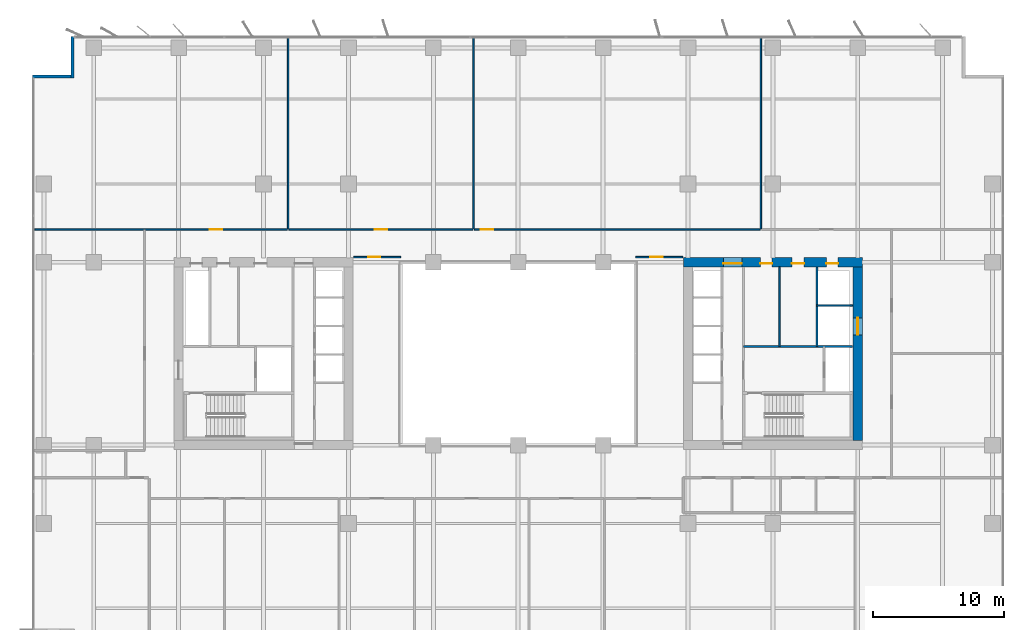
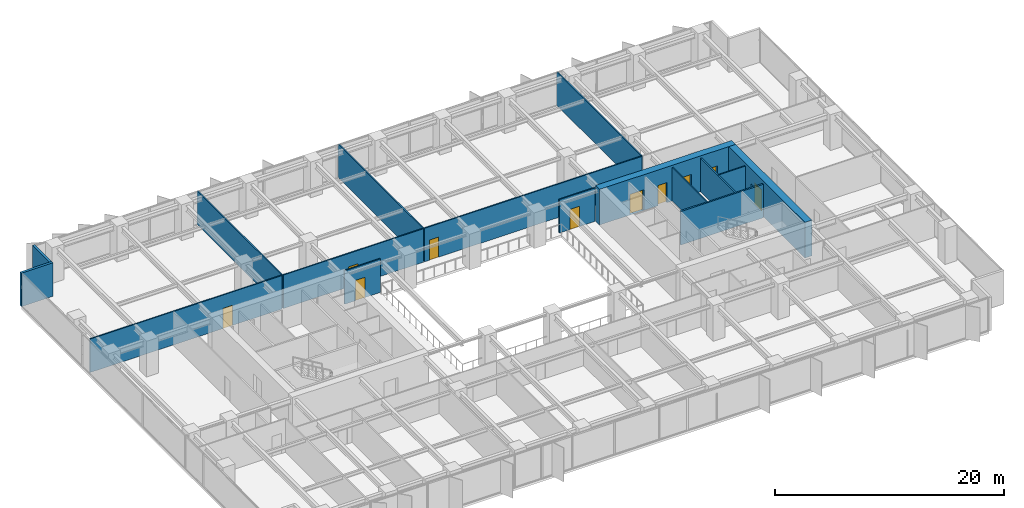
# One storey, part 15 of 20: 16 walls, 10 doors, 10 openings.
"""IFC4 building model written with IfcOpenShell, lengths in metres."""

import ifcopenshell
import ifcopenshell.guid

model = None  # the IFC model being written
_history = None  # IfcOwnerHistory: only IFC2X3 demands one
_inside = {}  # id of a spatial element -> (the spatial element, [elements in it])
_under = {}  # id of a project, library or spatial element -> (it, [spatial elements below it])
_declared = {}  # id of a project -> (the project, [libraries it declares])
_typed = {}  # id of a type object -> (the type object, [elements of that type])
_made_of = {}  # id of a material, layer set ... -> (it, [elements and type objects made of it])


def new_model(schema):
    """Start an empty IFC model of exactly this schema.

    Asked for "IFC4X3", IfcOpenShell would pick the latest addendum, in which some entities
    have other attributes; the version numbers below select the first issue.
    IFC2X3 requires an IfcOwnerHistory on every rooted entity: one is made here for all.
    """
    global model, _history
    if schema == "IFC4X3":
        model = ifcopenshell.file(schema_version=(4, 3, 0, 0))
    else:
        model = ifcopenshell.file(schema=schema)
    _inside.clear()
    _under.clear()
    _declared.clear()
    _typed.clear()
    _made_of.clear()
    _history = None
    if model.schema == "IFC2X3":
        org = make("IfcOrganization", Name="unknown")
        user = make(
            "IfcPersonAndOrganization",
            ThePerson=make("IfcPerson", FamilyName="unknown"),
            TheOrganization=org,
        )
        app = make(
            "IfcApplication",
            ApplicationDeveloper=org,
            Version="unknown",
            ApplicationFullName="unknown",
            ApplicationIdentifier="unknown",
        )
        _history = make(
            "IfcOwnerHistory",
            OwningUser=user,
            OwningApplication=app,
            ChangeAction="ADDED",
            CreationDate=0,
        )
    return model


def make(cls, **values):
    """One entity of the class cls with the attributes given. An attribute that is None is left unset."""
    return model.create_entity(
        cls, **{name: value for name, value in values.items() if value is not None}
    )


def rooted(cls, **values):
    """An entity with a GlobalId (a new one), such as an element, a storey or a relation."""
    return make(cls, GlobalId=ifcopenshell.guid.new(), OwnerHistory=_history, **values)


def si_unit(unit_type, name, prefix=None):
    """IfcSIUnit, for example si_unit("LENGTHUNIT", "METRE", prefix="MILLI")."""
    return make("IfcSIUnit", UnitType=unit_type, Prefix=prefix, Name=name)


def assignment(units):
    """IfcUnitAssignment: the units of a project."""
    return None if units is None else make("IfcUnitAssignment", Units=units)


def point(xyz):
    """IfcCartesianPoint."""
    return None if xyz is None else make("IfcCartesianPoint", Coordinates=xyz)


def direction(xyz):
    """IfcDirection."""
    return None if xyz is None else make("IfcDirection", DirectionRatios=xyz)


def frame(location, z_axis=None, x_axis=None):
    """IfcAxis2Placement3D, a coordinate frame: its origin and axes. An axis left out is left unset."""
    return make(
        "IfcAxis2Placement3D",
        Location=point(location),
        Axis=direction(z_axis),
        RefDirection=direction(x_axis),
    )


def frame_2d(location, x_axis=None):
    """IfcAxis2Placement2D, a coordinate frame in the plane: its origin and x axis."""
    return make(
        "IfcAxis2Placement2D", Location=point(location), RefDirection=direction(x_axis)
    )


def origin():
    """The frame at (0, 0, 0) with its axes left unset."""
    return frame((0.0, 0.0, 0.0))


def place(relative_to, where):
    """IfcLocalPlacement: puts the frame where relative to a parent placement (None: the world)."""
    return make(
        "IfcLocalPlacement", PlacementRelTo=relative_to, RelativePlacement=where
    )


def context(
    kind, dimensions, precision=None, world=None, true_north=None, identifier=None
):
    """IfcGeometricRepresentationContext, for example the 3D "Model" context."""
    return make(
        "IfcGeometricRepresentationContext",
        ContextIdentifier=identifier,
        ContextType=kind,
        CoordinateSpaceDimension=dimensions,
        Precision=precision,
        WorldCoordinateSystem=world,
        TrueNorth=true_north,
    )


def subcontext(parent, identifier, kind, view, scale=None):
    """IfcGeometricRepresentationSubContext, for example "Body" below "Model"."""
    return make(
        "IfcGeometricRepresentationSubContext",
        ContextIdentifier=identifier,
        ContextType=kind,
        ParentContext=parent,
        TargetScale=scale,
        TargetView=view,
    )


def project(units=None, contexts=None):
    """IfcProject with its units and contexts."""
    return rooted(
        "IfcProject",
        Name="project",
        RepresentationContexts=contexts,
        UnitsInContext=assignment(units),
    )


def spatial(cls, under=None, at=None, **own):
    """A site, building, storey or space (cls), placed at a placement, below another one or the project."""
    s = rooted(cls, ObjectPlacement=at, **own)
    if under is not None:
        _under.setdefault(under.id(), (under, []))[1].append(s)
    return s


def profile(cls, at=None, kind="AREA", **sizes):
    """A parametric profile (cls). Its sizes go by their IFC names, for example OverallWidth=200.0."""
    return make(cls, ProfileType=kind, Position=at, **sizes)


def rectangle(**sizes):
    """IfcRectangleProfileDef."""
    return profile("IfcRectangleProfileDef", **sizes)


def extrude(swept, where, along, depth):
    """IfcExtrudedAreaSolid: the profile swept, set in the frame where, extruded along a direction by depth."""
    return make(
        "IfcExtrudedAreaSolid",
        SweptArea=swept,
        Position=where,
        ExtrudedDirection=direction(along),
        Depth=depth,
    )


def shape(context_of_items, identifier, shape_type, items):
    """IfcShapeRepresentation: the items that make up one representation, for example the "Body"."""
    return make(
        "IfcShapeRepresentation",
        ContextOfItems=context_of_items,
        RepresentationIdentifier=identifier,
        RepresentationType=shape_type,
        Items=items,
    )


def material(Name=None, Category=None):
    """IfcMaterial."""
    return make("IfcMaterial", Name=Name, Category=Category)


def layer(
    of_material, thickness, ventilated=None, Name=None, Category=None, Priority=None
):
    """IfcMaterialLayer: one layer of a wall or slab, of a material (None: an air gap)."""
    return make(
        "IfcMaterialLayer",
        Material=of_material,
        LayerThickness=thickness,
        IsVentilated=ventilated,
        Name=Name,
        Category=Category,
        Priority=Priority,
    )


def layer_set(layers, Name=None):
    """IfcMaterialLayerSet."""
    return make("IfcMaterialLayerSet", MaterialLayers=layers, LayerSetName=Name)


def made_of(thing, what):
    """Note that an element or type object is made of a material, layer set ...; save() writes the relation."""
    if what is not None:
        _made_of.setdefault(what.id(), (what, []))[1].append(thing)
    return thing


def type_object(cls, material=None, **own):
    """A type object (cls), such as IfcWallType, which elements share."""
    return made_of(rooted(cls, **own), material)


def element(
    cls,
    number,
    at=None,
    inside=None,
    cuts=None,
    type_object=None,
    material=None,
    context=None,
    identifier="Body",
    shape_type=None,
    held_by="IfcProductDefinitionShape",
    body=None,
    shapes=None,
    **own,
):
    """One element of the class cls, such as IfcWall. Its Tag is "e" and its number.

    at: its placement. inside: the storey or other place that contains it. cuts: it is an
    opening in that element (IfcRelVoidsElement). A single representation is given by context,
    identifier, shape_type and body (its items); several are given by shapes. held_by: the class
    of the entity that holds the representations. save() writes the other relations.
    """
    e = rooted(cls, Tag="e%d" % number, ObjectPlacement=at, **own)
    if body is not None:
        shapes = [shape(context, identifier, shape_type, body)]
    if shapes is not None:
        e.Representation = make(held_by, Representations=shapes)
    if inside is not None:
        _inside.setdefault(inside.id(), (inside, []))[1].append(e)
    if cuts is not None:
        rooted(
            "IfcRelVoidsElement", RelatingBuildingElement=cuts, RelatedOpeningElement=e
        )
    if type_object is not None:
        _typed.setdefault(type_object.id(), (type_object, []))[1].append(e)
    return made_of(e, material)


def fill(opening, filler):
    """IfcRelFillsElement: the door or window that sits in an opening."""
    return rooted(
        "IfcRelFillsElement",
        RelatingOpeningElement=opening,
        RelatedBuildingElement=filler,
    )


def aggregate(whole, parts):
    """IfcRelAggregates: a whole, such as a stair, and the parts it consists of."""
    return rooted("IfcRelAggregates", RelatingObject=whole, RelatedObjects=parts)


def save(model, path):
    """Write the relations noted so far, then the file.

    IfcRelAggregates (storeys below a building ...), IfcRelContainedInSpatialStructure (elements
    in a storey), IfcRelDefinesByType, IfcRelAssociatesMaterial and IfcRelDeclares: one each for
    every whole, place, type object, material and project.
    """
    for whole, parts in _under.values():
        aggregate(whole, parts)
    for where, things in _inside.values():
        rooted(
            "IfcRelContainedInSpatialStructure",
            RelatedElements=things,
            RelatingStructure=where,
        )
    for kind, things in _typed.values():
        rooted("IfcRelDefinesByType", RelatedObjects=things, RelatingType=kind)
    for what, things in _made_of.values():
        rooted("IfcRelAssociatesMaterial", RelatedObjects=things, RelatingMaterial=what)
    for by, libraries in _declared.values():
        rooted("IfcRelDeclares", RelatingContext=by, RelatedDefinitions=libraries)
    model.write(path)


model = new_model("IFC4")

# Units and contexts
model_context = context("Model", 3, precision=1e-05, world=origin(), true_north=direction((0.0, 1.0)))
body_context = subcontext(model_context, "Body", "Model", "MODEL_VIEW")
ifc_project = project(units=[si_unit("LENGTHUNIT", "METRE"), si_unit("AREAUNIT", "SQUARE_METRE"), si_unit("VOLUMEUNIT", "CUBIC_METRE"), si_unit("PLANEANGLEUNIT", "RADIAN"), si_unit("MASSUNIT", "GRAM", prefix="KILO")], contexts=[model_context])

# Site, building, storey
site_placement = place(None, origin())
site = spatial("IfcSite", under=ifc_project, at=site_placement, CompositionType="ELEMENT")
building_placement = place(site_placement, origin())
building = spatial("IfcBuilding", under=site, at=building_placement, Name="Putna Gate Headquarters", CompositionType="ELEMENT")
storey_placement = place(building_placement, frame((0.0, 0.0, 93.60009765625)))
storey = spatial("IfcBuildingStorey", under=building, at=storey_placement, Name="L22", CompositionType="ELEMENT", Elevation=93.60009765625)

# Wall, openings, doors
ifc_material_1 = material(Name="Concrete C60/75", Category="concrete")
ifc_layer_1 = layer(ifc_material_1, 0.699951171875)
ifc_layer_set_1 = layer_set([ifc_layer_1], Name="Concrete C60/75")
wall_type_1 = type_object("IfcWallType", Name="WALL-CORE-700", PredefinedType="SHEAR", material=ifc_layer_set_1)
wall_1_placement = place(storey_placement, frame((51.64990234375, 33.0, 0.0), z_axis=(0.0, 0.0, 1.0), x_axis=(1.0, 0.0, 0.0)))
wall_1 = element("IfcWall", 1, at=wall_1_placement, inside=storey, type_object=wall_type_1, Name="L22 EC Split Core Shear Wall N", PredefinedType="SHEAR", context=body_context, shape_type="SweptSolid", body=[
    extrude(rectangle(XDim=13.7001953125, YDim=0.699951171875, at=frame_2d((6.85009765625, 0.0))), origin(), (0.0, 0.0, 1.0), 3.7998046875),
])
opening_1_placement = place(wall_1_placement, frame((3.070068359375, 0.0, 0.0)))
opening_1 = element("IfcOpeningElement", 2, at=opening_1_placement, cuts=wall_1, Name="Opening FDD-140", PredefinedType="OPENING", context=body_context, shape_type="SweptSolid", body=[
    extrude(rectangle(XDim=1.39990234375, YDim=2.199951171875, at=frame_2d((0.699951171875, 1.10009765625))), frame((0.0, 0.35986328125, 0.0), z_axis=(0.0, -1.0, 0.0), x_axis=(1.0, 0.0, 0.0)), (0.0, 0.0, 1.0), 0.719970703125),
])
opening_2_placement = place(wall_1_placement, frame((10.949951171875, 0.0, 0.0)))
opening_2 = element("IfcOpeningElement", 3, at=opening_2_placement, cuts=wall_1, Name="Opening RD-90", PredefinedType="OPENING", context=body_context, shape_type="SweptSolid", body=[
    extrude(rectangle(XDim=0.89990234375, YDim=2.14990234375, at=frame_2d((0.449951171875, 1.074951171875))), frame((0.0, 0.35986328125, 0.0), z_axis=(0.0, -1.0, 0.0), x_axis=(1.0, 0.0, 0.0)), (0.0, 0.0, 1.0), 0.719970703125),
])
opening_3_placement = place(wall_1_placement, frame((5.89990234375, 0.0, 0.0)))
opening_3 = element("IfcOpeningElement", 4, at=opening_3_placement, cuts=wall_1, Name="Opening IDS-90", PredefinedType="OPENING", context=body_context, shape_type="SweptSolid", body=[
    extrude(rectangle(XDim=0.89990234375, YDim=2.14990234375, at=frame_2d((0.449951171875, 1.074951171875))), frame((0.0, 0.35986328125, 0.0), z_axis=(0.0, -1.0, 0.0), x_axis=(1.0, 0.0, 0.0)), (0.0, 0.0, 1.0), 0.719970703125),
])
opening_4_placement = place(wall_1_placement, frame((8.300048828125, 0.0, 0.0)))
opening_4 = element("IfcOpeningElement", 5, at=opening_4_placement, cuts=wall_1, Name="Opening IDS-95", PredefinedType="OPENING", context=body_context, shape_type="SweptSolid", body=[
    extrude(rectangle(XDim=0.949951171875, YDim=2.14990234375, at=frame_2d((0.47509765625, 1.074951171875))), frame((0.0, 0.35986328125, 0.0), z_axis=(0.0, -1.0, 0.0), x_axis=(1.0, 0.0, 0.0)), (0.0, 0.0, 1.0), 0.719970703125),
])
ifc_material_2 = material(Name="Double steel fire door", Category="steel")
door_type_1 = type_object("IfcDoorType", Name="DOOR-FIRE-DBL-1400", OperationType="DOUBLE_DOOR_SINGLE_SWING", PredefinedType="DOOR", material=ifc_material_2)
door_1_placement = place(opening_1_placement, origin())
door_1 = element("IfcDoor", 6, at=door_1_placement, inside=storey, type_object=door_type_1, Name="L22 East Lift Lobby North Door", OperationType="DOUBLE_DOOR_SINGLE_SWING", OverallHeight=2.199951171875, OverallWidth=1.39990234375, PredefinedType="DOOR", context=body_context, shape_type="SweptSolid", body=[
    extrude(rectangle(XDim=1.39990234375, YDim=2.199951171875, at=frame_2d((0.699951171875, 1.10009765625))), frame((0.0, -0.0751953125, 0.0), z_axis=(0.0, -1.0, 0.0), x_axis=(1.0, 0.0, 0.0)), (0.0, 0.0, 1.0), 0.050048828125),
])
fill(opening_1, door_1)
ifc_material_3 = material(Name="Fire-rated utility door")
door_type_2 = type_object("IfcDoorType", Name="DOOR-INT-900", OperationType="NOTDEFINED", PredefinedType="DOOR", material=ifc_material_3)
door_2_placement = place(opening_3_placement, origin())
door_2 = element("IfcDoor", 7, at=door_2_placement, inside=storey, type_object=door_type_2, Name="L22 Telecoms Plant Door", OperationType="SINGLE_SWING_LEFT", OverallHeight=2.14990234375, OverallWidth=0.89990234375, PredefinedType="DOOR", context=body_context, shape_type="SweptSolid", body=[
    extrude(rectangle(XDim=0.89990234375, YDim=2.14990234375, at=frame_2d((0.449951171875, 1.074951171875))), frame((0.0, -0.0751953125, 0.0), z_axis=(0.0, -1.0, 0.0), x_axis=(1.0, 0.0, 0.0)), (0.0, 0.0, 1.0), 0.050048828125),
])
fill(opening_3, door_2)
ifc_material_4 = material(Name="Fire-rated service timber door", Category="wood")
door_type_3 = type_object("IfcDoorType", Name="DOOR-INT-950", OperationType="NOTDEFINED", PredefinedType="DOOR", material=ifc_material_4)
door_3_placement = place(opening_4_placement, origin())
door_3 = element("IfcDoor", 8, at=door_3_placement, inside=storey, type_object=door_type_3, Name="L22 Supplies Store Door", OperationType="SINGLE_SWING_RIGHT", OverallHeight=2.14990234375, OverallWidth=0.949951171875, PredefinedType="DOOR", context=body_context, shape_type="SweptSolid", body=[
    extrude(rectangle(XDim=0.949951171875, YDim=2.14990234375, at=frame_2d((0.47509765625, 1.074951171875))), frame((0.0, -0.0751953125, 0.0), z_axis=(0.0, -1.0, 0.0), x_axis=(1.0, 0.0, 0.0)), (0.0, 0.0, 1.0), 0.050048828125),
])
fill(opening_4, door_3)
ifc_material_5 = material(Name="Steel riser access fire door", Category="steel")
door_type_4 = type_object("IfcDoorType", Name="DOOR-RISER-900", OperationType="NOTDEFINED", PredefinedType="DOOR", material=ifc_material_5)
door_4_placement = place(opening_2_placement, origin())
door_4 = element("IfcDoor", 9, at=door_4_placement, inside=storey, type_object=door_type_4, Name="L22 East Riser Access Door", OperationType="SINGLE_SWING_LEFT", OverallHeight=2.14990234375, OverallWidth=0.89990234375, PredefinedType="DOOR", context=body_context, shape_type="SweptSolid", body=[
    extrude(rectangle(XDim=0.89990234375, YDim=2.14990234375, at=frame_2d((0.449951171875, 1.074951171875))), frame((0.0, -0.0751953125, 0.0), z_axis=(0.0, -1.0, 0.0), x_axis=(1.0, 0.0, 0.0)), (0.0, 0.0, 1.0), 0.050048828125),
])
fill(opening_2, door_4)

# Wall, opening, door
wall_2_placement = place(storey_placement, frame((65.0, 19.35009765625, 0.0), z_axis=(0.0, 0.0, 1.0), x_axis=(0.0, 1.0, 0.0)))
wall_2 = element("IfcWall", 10, at=wall_2_placement, inside=storey, type_object=wall_type_1, Name="L22 EC Split Core Shear Wall E", PredefinedType="SHEAR", context=body_context, shape_type="SweptSolid", body=[
    extrude(rectangle(XDim=13.2998046875, YDim=0.699951171875, at=frame_2d((6.64990234375, 0.0))), origin(), (0.0, 0.0, 1.0), 3.7998046875),
])
opening_5_placement = place(wall_2_placement, frame((8.10009765625, 0.0, 0.0)))
opening_5 = element("IfcOpeningElement", 11, at=opening_5_placement, cuts=wall_2, Name="Opening LD-2", PredefinedType="OPENING", context=body_context, shape_type="SweptSolid", body=[
    extrude(rectangle(XDim=1.300048828125, YDim=2.199951171875, at=frame_2d((0.64990234375, 1.10009765625))), frame((0.0, 0.35986328125, 0.0), z_axis=(0.0, -1.0, 0.0), x_axis=(1.0, 0.0, 0.0)), (0.0, 0.0, 1.0), 0.719970703125),
])
ifc_material_6 = material(Name="Heavy-duty goods lift sliding landing door")
door_type_5 = type_object("IfcDoorType", Name="DOOR-LIFT-1300", OperationType="DOUBLE_DOOR_SLIDING", PredefinedType="DOOR", material=ifc_material_6)
door_5_placement = place(opening_5_placement, origin())
door_5 = element("IfcDoor", 12, at=door_5_placement, inside=storey, type_object=door_type_5, Name="L22 Goods Lift Landing Door LD-15", OperationType="DOUBLE_DOOR_SLIDING", OverallHeight=2.199951171875, OverallWidth=1.300048828125, PredefinedType="DOOR", context=body_context, shape_type="SweptSolid", body=[
    extrude(rectangle(XDim=1.300048828125, YDim=2.199951171875, at=frame_2d((0.64990234375, 1.10009765625))), frame((0.0, 0.02490234375, 0.0), z_axis=(0.0, -1.0, 0.0), x_axis=(1.0, 0.0, 0.0)), (0.0, 0.0, 1.0), 0.050048828125),
])
fill(opening_5, door_5)

# Walls
ifc_material_7 = material(Name="Precast concrete C40/50", Category="concrete")
ifc_layer_2 = layer(ifc_material_7, 0.239990234375)
ifc_layer_set_2 = layer_set([ifc_layer_2], Name="Precast concrete C40/50")
wall_type_2 = type_object("IfcWallType", Name="WALL-EXT-TERR-240", PredefinedType="STANDARD", material=ifc_layer_set_2)
for number, where, z_axis, x_axis, name in (
    (13, (4.8798828125, 47.10009765625, 0.0), (0.0, 0.0, 1.0), (0.0, 1.0, 0.0), "L22 Corner Notch Return Wall NW-V"),
    (14, (1.800048828125, 47.219970703125, 0.0), (0.0, 0.0, 1.0), (1.0, 0.0, 0.0), "L22 Corner Notch Return Wall NW-H"),
):
    element("IfcWall", number, at=place(storey_placement, frame(where, z_axis=z_axis, x_axis=x_axis)), inside=storey, type_object=wall_type_2, Name=name, PredefinedType="STANDARD", context=body_context, shape_type="SweptSolid", body=[
        extrude(rectangle(XDim=3.199951171875, YDim=0.239990234375, at=frame_2d((1.60009765625, 0.0))), origin(), (0.0, 0.0, 1.0), 3.56494140625),
    ])

# Wall, opening, door
ifc_material_8 = material(Name="Acoustic gypsum board on metal stud")
ifc_layer_3 = layer(ifc_material_8, 0.1201171875)
ifc_layer_set_3 = layer_set([ifc_layer_3], Name="Acoustic gypsum board on metal stud")
wall_type_3 = type_object("IfcWallType", Name="WALL-PART-120", PredefinedType="PARTITIONING", material=ifc_layer_set_3)
wall_3_placement = place(storey_placement, frame((26.39990234375, 33.39990234375, 0.0), z_axis=(0.0, 0.0, 1.0), x_axis=(1.0, 0.0, 0.0)))
wall_3 = element("IfcWall", 15, at=wall_3_placement, inside=storey, type_object=wall_type_3, Name="L22 Interior Wall PART-L22-ATR-W-N", PredefinedType="PARTITIONING", context=body_context, shape_type="SweptSolid", body=[
    extrude(rectangle(XDim=3.60009765625, YDim=0.1201171875, at=frame_2d((1.800048828125, 0.0))), origin(), (0.0, 0.0, 1.0), 3.56494140625),
])
opening_6_placement = place(wall_3_placement, frame((1.10009765625, 0.0, 0.0)))
opening_6 = element("IfcOpeningElement", 16, at=opening_6_placement, cuts=wall_3, Name="Opening ID-95", PredefinedType="OPENING", context=body_context, shape_type="SweptSolid", body=[
    extrude(rectangle(XDim=0.949951171875, YDim=2.14990234375, at=frame_2d((0.47509765625, 1.074951171875))), frame((0.0, 0.070068359375, 0.0), z_axis=(0.0, -1.0, 0.0), x_axis=(1.0, 0.0, 0.0)), (0.0, 0.0, 1.0), 0.14013671875),
])
ifc_material_9 = material(Name="Veneered acoustic timber door", Category="wood")
door_type_6 = type_object("IfcDoorType", Name="DOOR-OFF-950", OperationType="NOTDEFINED", PredefinedType="DOOR", material=ifc_material_9)
door_6_placement = place(opening_6_placement, origin())
door_6 = element("IfcDoor", 17, at=door_6_placement, inside=storey, type_object=door_type_6, Name="L22 West Atrium Lounge Door", OperationType="SINGLE_SWING_LEFT", OverallHeight=2.14990234375, OverallWidth=0.949951171875, PredefinedType="DOOR", context=body_context, shape_type="SweptSolid", body=[
    extrude(rectangle(XDim=0.949951171875, YDim=2.14990234375, at=frame_2d((0.47509765625, 1.074951171875))), frame((0.0, 0.02490234375, 0.0), z_axis=(0.0, -1.0, 0.0), x_axis=(1.0, 0.0, 0.0)), (0.0, 0.0, 1.0), 0.050048828125),
])
fill(opening_6, door_6)

wall_4_placement = place(storey_placement, frame((48.0, 33.39990234375, 0.0), z_axis=(0.0, 0.0, 1.0), x_axis=(1.0, 0.0, 0.0)))
wall_4 = element("IfcWall", 18, at=wall_4_placement, inside=storey, type_object=wall_type_3, Name="L22 Interior Wall PART-L22-ATR-E-N", PredefinedType="PARTITIONING", context=body_context, shape_type="SweptSolid", body=[
    extrude(rectangle(XDim=3.60009765625, YDim=0.1201171875, at=frame_2d((1.800048828125, 0.0))), origin(), (0.0, 0.0, 1.0), 3.56494140625),
])
opening_7_placement = place(wall_4_placement, frame((1.10009765625, 0.0, 0.0)))
opening_7 = element("IfcOpeningElement", 19, at=opening_7_placement, cuts=wall_4, Name="Opening ID-95", PredefinedType="OPENING", context=body_context, shape_type="SweptSolid", body=[
    extrude(rectangle(XDim=0.949951171875, YDim=2.14990234375, at=frame_2d((0.47509765625, 1.074951171875))), frame((0.0, 0.070068359375, 0.0), z_axis=(0.0, -1.0, 0.0), x_axis=(1.0, 0.0, 0.0)), (0.0, 0.0, 1.0), 0.14013671875),
])
door_7_placement = place(opening_7_placement, origin())
door_7 = element("IfcDoor", 20, at=door_7_placement, inside=storey, type_object=door_type_6, Name="L22 East Atrium Lounge Door", OperationType="SINGLE_SWING_RIGHT", OverallHeight=2.14990234375, OverallWidth=0.949951171875, PredefinedType="DOOR", context=body_context, shape_type="SweptSolid", body=[
    extrude(rectangle(XDim=0.949951171875, YDim=2.14990234375, at=frame_2d((0.47509765625, 1.074951171875))), frame((0.0, 0.02490234375, 0.0), z_axis=(0.0, -1.0, 0.0), x_axis=(1.0, 0.0, 0.0)), (0.0, 0.0, 1.0), 0.050048828125),
])
fill(opening_7, door_7)

# Walls
for number, where, z_axis, x_axis, name in (
    (21, (21.37841796875, 35.56005859375, 0.0), (0.0, 0.0, 1.0), (0.0, 1.0, 0.0), "L22 Interior Wall PART-L22-NB-DIV-01"),
    (22, (35.5869140625, 35.56005859375, 0.0), (0.0, 0.0, 1.0), (0.0, 1.0, 0.0), "L22 Interior Wall PART-L22-NB-DIV-02"),
    (23, (57.57666015625, 35.56005859375, 0.0), (0.0, 0.0, 1.0), (0.0, 1.0, 0.0), "L22 Interior Wall PART-L22-NB-DIV-03"),
):
    element("IfcWall", number, at=place(storey_placement, frame(where, z_axis=z_axis, x_axis=x_axis)), inside=storey, type_object=wall_type_3, Name=name, PredefinedType="PARTITIONING", context=body_context, shape_type="SweptSolid", body=[
        extrude(rectangle(XDim=14.719970703125, YDim=0.1201171875, at=frame_2d((7.35986328125, 0.0))), origin(), (0.0, 0.0, 1.0), 3.56494140625),
    ])
ifc_material_10 = material(Name="Fire-rated shaftwall gypsum board on metal stud")
ifc_layer_4 = layer(ifc_material_10, 0.1201171875)
ifc_layer_set_4 = layer_set([ifc_layer_4], Name="Fire-rated shaftwall gypsum board on metal stud")
wall_type_4 = type_object("IfcWallType", Name="WALL-PART-120-EI120", PredefinedType="PARTITIONING", material=ifc_layer_set_4)
wall_5_placement = place(storey_placement, frame((61.8701171875, 29.699951171875, 0.0), z_axis=(0.0, 0.0, 1.0), x_axis=(1.0, 0.0, 0.0)))
element("IfcWall", 24, at=wall_5_placement, inside=storey, type_object=wall_type_4, Name="L22 Interior Wall CWINT-L22-EC-LF15-N", PredefinedType="PARTITIONING", context=body_context, shape_type="SweptSolid", body=[
    extrude(rectangle(XDim=2.72998046875, YDim=0.1201171875, at=frame_2d((1.364990234375, 0.0))), origin(), (0.0, 0.0, 1.0), 3.56494140625),
])
ifc_material_11 = material(Name="Fire-rated gypsum board on metal stud")
ifc_layer_5 = layer(ifc_material_11, 0.1201171875)
ifc_layer_set_5 = layer_set([ifc_layer_5], Name="Fire-rated gypsum board on metal stud")
wall_type_5 = type_object("IfcWallType", Name="WALL-PART-120-RATED", PredefinedType="PARTITIONING", material=ifc_layer_set_5)
wall_6_placement = place(storey_placement, frame((59.02001953125, 26.56005859375, 0.0), z_axis=(0.0, 0.0, 1.0), x_axis=(0.0, 1.0, 0.0)))
element("IfcWall", 25, at=wall_6_placement, inside=storey, type_object=wall_type_5, Name="L22 Interior Wall CWINT-L22-EC-K1-DIV", PredefinedType="PARTITIONING", context=body_context, shape_type="SweptSolid", body=[
    extrude(rectangle(XDim=6.08984375, YDim=0.1201171875, at=frame_2d((3.044921875, 0.0))), origin(), (0.0, 0.0, 1.0), 3.56494140625),
])

# Wall, opening, door
wall_7_placement = place(storey_placement, frame((1.97998046875, 35.5, 0.0), z_axis=(0.0, 0.0, 1.0), x_axis=(1.0, 0.0, 0.0)))
wall_7 = element("IfcWall", 26, at=wall_7_placement, inside=storey, type_object=wall_type_5, Name="L22 Interior Wall PART-L22-NB-CW-01", PredefinedType="PARTITIONING", context=body_context, shape_type="SweptSolid", body=[
    extrude(rectangle(XDim=19.338623046875, YDim=0.1201171875, at=frame_2d((9.66943359375, 0.0))), origin(), (0.0, 0.0, 1.0), 3.56494140625),
])
opening_8_placement = place(wall_7_placement, frame((13.404296875, 0.0, 0.0)))
opening_8 = element("IfcOpeningElement", 27, at=opening_8_placement, cuts=wall_7, Name="Opening FD-95", PredefinedType="OPENING", context=body_context, shape_type="SweptSolid", body=[
    extrude(rectangle(XDim=0.949951171875, YDim=2.14990234375, at=frame_2d((0.47509765625, 1.074951171875))), frame((0.0, 0.070068359375, 0.0), z_axis=(0.0, -1.0, 0.0), x_axis=(1.0, 0.0, 0.0)), (0.0, 0.0, 1.0), 0.14013671875),
])
ifc_material_12 = material(Name="Acoustic timber fire door", Category="wood")
door_type_7 = type_object("IfcDoorType", Name="DOOR-FIRE-950", OperationType="NOTDEFINED", PredefinedType="DOOR", material=ifc_material_12)
door_8_placement = place(opening_8_placement, origin())
door_8 = element("IfcDoor", 28, at=door_8_placement, inside=storey, type_object=door_type_7, Name="L22 Collaborative Breakout Lounge 3 Door", OperationType="SINGLE_SWING_LEFT", OverallHeight=2.14990234375, OverallWidth=0.949951171875, PredefinedType="DOOR", context=body_context, shape_type="SweptSolid", body=[
    extrude(rectangle(XDim=0.949951171875, YDim=2.14990234375, at=frame_2d((0.47509765625, 1.074951171875))), frame((0.0, 0.02490234375, 0.0), z_axis=(0.0, -1.0, 0.0), x_axis=(1.0, 0.0, 0.0)), (0.0, 0.0, 1.0), 0.050048828125),
])
fill(opening_8, door_8)

wall_8_placement = place(storey_placement, frame((21.4384765625, 35.5, 0.0), z_axis=(0.0, 0.0, 1.0), x_axis=(1.0, 0.0, 0.0)))
wall_8 = element("IfcWall", 29, at=wall_8_placement, inside=storey, type_object=wall_type_5, Name="L22 Interior Wall PART-L22-NB-CW-02", PredefinedType="PARTITIONING", context=body_context, shape_type="SweptSolid", body=[
    extrude(rectangle(XDim=14.08837890625, YDim=0.1201171875, at=frame_2d((7.044189453125, 0.0))), origin(), (0.0, 0.0, 1.0), 3.56494140625),
])
opening_9_placement = place(wall_8_placement, frame((6.569091796875, 0.0, 0.0)))
opening_9 = element("IfcOpeningElement", 30, at=opening_9_placement, cuts=wall_8, Name="Opening FD-95", PredefinedType="OPENING", context=body_context, shape_type="SweptSolid", body=[
    extrude(rectangle(XDim=0.949951171875, YDim=2.14990234375, at=frame_2d((0.47509765625, 1.074951171875))), frame((0.0, 0.070068359375, 0.0), z_axis=(0.0, -1.0, 0.0), x_axis=(1.0, 0.0, 0.0)), (0.0, 0.0, 1.0), 0.14013671875),
])
door_9_placement = place(opening_9_placement, origin())
door_9 = element("IfcDoor", 31, at=door_9_placement, inside=storey, type_object=door_type_7, Name="L22 Cellular Office 1 Door", OperationType="SINGLE_SWING_RIGHT", OverallHeight=2.14990234375, OverallWidth=0.949951171875, PredefinedType="DOOR", context=body_context, shape_type="SweptSolid", body=[
    extrude(rectangle(XDim=0.949951171875, YDim=2.14990234375, at=frame_2d((0.47509765625, 1.074951171875))), frame((0.0, 0.02490234375, 0.0), z_axis=(0.0, -1.0, 0.0), x_axis=(1.0, 0.0, 0.0)), (0.0, 0.0, 1.0), 0.050048828125),
])
fill(opening_9, door_9)

wall_9_placement = place(storey_placement, frame((35.646728515625, 35.5, 0.0), z_axis=(0.0, 0.0, 1.0), x_axis=(1.0, 0.0, 0.0)))
wall_9 = element("IfcWall", 32, at=wall_9_placement, inside=storey, type_object=wall_type_5, Name="L22 Interior Wall PART-L22-NB-CW-03", PredefinedType="PARTITIONING", context=body_context, shape_type="SweptSolid", body=[
    extrude(rectangle(XDim=21.869873046875, YDim=0.1201171875, at=frame_2d((10.93505859375, 0.0))), origin(), (0.0, 0.0, 1.0), 3.56494140625),
])
opening_10_placement = place(wall_9_placement, frame((0.47998046875, 0.0, 0.0)))
opening_10 = element("IfcOpeningElement", 33, at=opening_10_placement, cuts=wall_9, Name="Opening FD-95", PredefinedType="OPENING", context=body_context, shape_type="SweptSolid", body=[
    extrude(rectangle(XDim=0.949951171875, YDim=2.14990234375, at=frame_2d((0.47509765625, 1.074951171875))), frame((0.0, 0.070068359375, 0.0), z_axis=(0.0, -1.0, 0.0), x_axis=(1.0, 0.0, 0.0)), (0.0, 0.0, 1.0), 0.14013671875),
])
door_10_placement = place(opening_10_placement, origin())
door_10 = element("IfcDoor", 34, at=door_10_placement, inside=storey, type_object=door_type_7, Name="L22 Cellular Office 2 Door", OperationType="SINGLE_SWING_LEFT", OverallHeight=2.14990234375, OverallWidth=0.949951171875, PredefinedType="DOOR", context=body_context, shape_type="SweptSolid", body=[
    extrude(rectangle(XDim=0.949951171875, YDim=2.14990234375, at=frame_2d((0.47509765625, 1.074951171875))), frame((0.0, 0.02490234375, 0.0), z_axis=(0.0, -1.0, 0.0), x_axis=(1.0, 0.0, 0.0)), (0.0, 0.0, 1.0), 0.050048828125),
])
fill(opening_10, door_10)

# Walls
ifc_material_13 = material(Name="Concrete C40/50", Category="concrete")
ifc_layer_6 = layer(ifc_material_13, 0.159912109375)
ifc_layer_set_6 = layer_set([ifc_layer_6], Name="Concrete C40/50")
wall_type_6 = type_object("IfcWallType", Name="WALL-SHAFT-160", PredefinedType="STANDARD", material=ifc_layer_set_6)
wall_10_placement = place(storey_placement, frame((56.260009765625, 26.56005859375, 0.0), z_axis=(0.0, 0.0, 1.0), x_axis=(1.0, 0.0, 0.0)))
element("IfcWall", 35, at=wall_10_placement, inside=storey, type_object=wall_type_6, Name="L22 Interior Wall CWINT-L22-EC-FFL-N", PredefinedType="STANDARD", context=body_context, shape_type="SweptSolid", body=[
    extrude(rectangle(XDim=8.340087890625, YDim=0.159912109375, at=frame_2d((4.169921875, 0.0))), origin(), (0.0, 0.0, 1.0), 3.56494140625),
])
wall_11_placement = place(storey_placement, frame((61.8701171875, 26.56005859375, 0.0), z_axis=(0.0, 0.0, 1.0), x_axis=(0.0, 1.0, 0.0)))
element("IfcWall", 36, at=wall_11_placement, inside=storey, type_object=wall_type_6, Name="L22 Interior Wall CWINT-L22-EC-LF15-W", PredefinedType="STANDARD", context=body_context, shape_type="SweptSolid", body=[
    extrude(rectangle(XDim=6.08984375, YDim=0.159912109375, at=frame_2d((3.044921875, 0.0))), origin(), (0.0, 0.0, 1.0), 3.56494140625),
])

save(model, "model.ifc")
